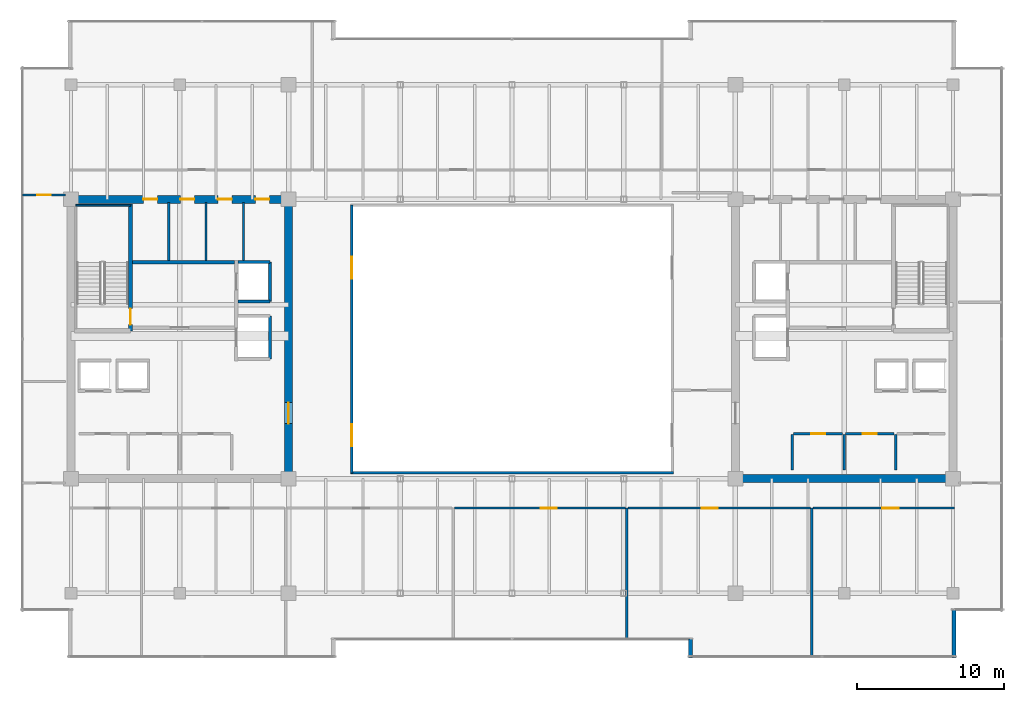
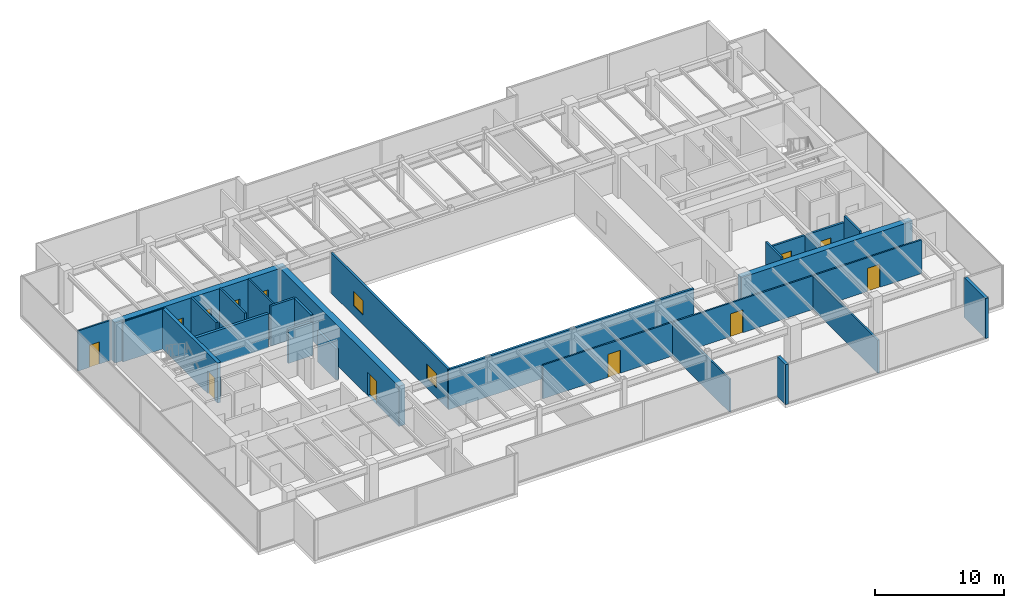
# One storey, part 29 of 33: 28 walls, 12 doors, 2 windows, 14 openings.
"""IFC4 building model written with IfcOpenShell, lengths in metres."""

from ifc_helpers import new_model, si_unit, direction, frame, frame_2d, origin, place, context, subcontext, project, spatial, rectangle, extrude, source, transform, mapped, material, layer, layer_set, type_object, type_shapes, element, fill, save


model = new_model("IFC4")

# Units and contexts
model_context = context("Model", 3, precision=1e-05, world=origin(), true_north=direction((0.0, 1.0)))
body_context = subcontext(model_context, "Body", "Model", "MODEL_VIEW")
ifc_project = project(units=[si_unit("LENGTHUNIT", "METRE"), si_unit("AREAUNIT", "SQUARE_METRE"), si_unit("VOLUMEUNIT", "CUBIC_METRE"), si_unit("PLANEANGLEUNIT", "RADIAN"), si_unit("MASSUNIT", "GRAM", prefix="KILO")], contexts=[model_context])

# Site, building, storey
site_placement = place(None, origin())
site = spatial("IfcSite", under=ifc_project, at=site_placement, CompositionType="ELEMENT")
building_placement = place(site_placement, origin())
building = spatial("IfcBuilding", under=site, at=building_placement, Name="Haelvirn Gate Laboratories", CompositionType="ELEMENT")
storey_placement = place(building_placement, frame((0.0, 0.0, 209.60009765625)))
storey = spatial("IfcBuildingStorey", under=building, at=storey_placement, Name="L50", CompositionType="ELEMENT", Elevation=209.60009765625)

# Walls
ifc_material_1 = material(Name="Thermally-broken bronze aluminium rainscreen & mineral wool", Category="aluminium")
ifc_layer_1 = layer(ifc_material_1, 0.280029296875, Name="EW-TERR-280")
ifc_layer_set_1 = layer_set([ifc_layer_1], Name="Thermally-broken bronze aluminium rainscreen & mineral wool")
wall_type_1 = type_object("IfcWallType", Name="EW-TERR-280", PredefinedType="STANDARD", material=ifc_layer_set_1)
wall_1_placement = place(storey_placement, frame((49.5400390625, 3.89306640625, 0.0), z_axis=(0.0, 0.0, 1.0), x_axis=(0.0, -1.0, 0.0)))
element("IfcWall", 1, at=wall_1_placement, inside=storey, type_object=wall_type_1, Name="L50 Atrium Recess Bronze Return Wall 03", PredefinedType="STANDARD", context=body_context, shape_type="SweptSolid", body=[
    extrude(rectangle(XDim=1.29296875, YDim=0.280029296875, at=frame_2d((0.646484375, 0.0))), origin(), (0.0, 0.0, 1.0), 3.7998046875),
])
wall_2_placement = place(storey_placement, frame((67.4599609375, 2.60009765625, 0.0), z_axis=(0.0, 0.0, 1.0), x_axis=(0.0, 1.0, 0.0)))
element("IfcWall", 2, at=wall_2_placement, inside=storey, type_object=wall_type_1, Name="L50 Atrium Recess Bronze Return Wall 05", PredefinedType="STANDARD", context=body_context, shape_type="SweptSolid", body=[
    extrude(rectangle(XDim=3.287841796875, YDim=0.280029296875, at=frame_2d((1.64404296875, 0.0))), origin(), (0.0, 0.0, 1.0), 3.7998046875),
])
ifc_material_2 = material(Name="Double-layer acoustic gypsum laboratory partition", Category="gypsum")
ifc_layer_2 = layer(ifc_material_2, 0.159912109375, Name="IW-ACOUST-160")
ifc_layer_set_2 = layer_set([ifc_layer_2], Name="Double-layer acoustic gypsum laboratory partition")
wall_type_2 = type_object("IfcWallType", Name="IW-ACOUST-160", PredefinedType="PARTITIONING", material=ifc_layer_set_2)
wall_3_placement = place(storey_placement, frame((45.199951171875, 3.909912109375, 0.0), z_axis=(0.0, 0.0, 1.0), x_axis=(0.0, 1.0, 0.0)))
element("IfcWall", 3, at=wall_3_placement, inside=storey, type_object=wall_type_2, Name="L50 Interior Wall IW-L50-SDIV-04", PredefinedType="PARTITIONING", context=body_context, shape_type="SweptSolid", body=[
    extrude(rectangle(XDim=8.880126953125, YDim=0.159912109375, at=frame_2d((4.43994140625, 0.0))), origin(), (0.0, 0.0, 1.0), 3.135009765625),
])
wall_4_placement = place(storey_placement, frame((57.800048828125, 2.7099609375, 0.0), z_axis=(0.0, 0.0, 1.0), x_axis=(0.0, 1.0, 0.0)))
element("IfcWall", 4, at=wall_4_placement, inside=storey, type_object=wall_type_2, Name="L50 Interior Wall IW-L50-SDIV-05", PredefinedType="PARTITIONING", context=body_context, shape_type="SweptSolid", body=[
    extrude(rectangle(XDim=10.080078125, YDim=0.159912109375, at=frame_2d((5.0400390625, 0.0))), origin(), (0.0, 0.0, 1.0), 3.135009765625),
])

# Wall, openings, windows
ifc_material_3 = material(Name="Tempered fire-rated borosilicate glass & anodised aluminium", Category="aluminium")
ifc_layer_3 = layer(ifc_material_3, 0.195068359375, Name="IW-GLAZ-200")
ifc_layer_set_3 = layer_set([ifc_layer_3], Name="Tempered fire-rated borosilicate glass & anodised aluminium")
wall_type_3 = type_object("IfcWallType", Name="IW-GLAZ-200", PredefinedType="SOLIDWALL", material=ifc_layer_set_3)
wall_5_placement = place(storey_placement, frame((26.5, 15.199951171875, 0.0), z_axis=(0.0, 0.0, 1.0), x_axis=(0.0, 1.0, 0.0)))
wall_5 = element("IfcWall", 5, at=wall_5_placement, inside=storey, type_object=wall_type_3, Name="L50 Interior Wall IW-L50-ATRIUM-W", PredefinedType="SOLIDWALL", context=body_context, shape_type="SweptSolid", body=[
    extrude(rectangle(XDim=18.199951171875, YDim=0.195068359375, at=frame_2d((9.10009765625, 0.0))), origin(), (0.0, 0.0, 1.0), 3.7998046875),
])
opening_1_placement = place(wall_5_placement, frame((1.800048828125, 0.0, 0.89990234375)))
opening_1 = element("IfcOpeningElement", 6, at=opening_1_placement, cuts=wall_5, Name="Opening W5", PredefinedType="OPENING", context=body_context, shape_type="SweptSolid", body=[
    extrude(rectangle(XDim=1.5, YDim=1.39990234375, at=frame_2d((0.75, 0.699951171875))), frame((0.0, 0.107421875, 0.0), z_axis=(0.0, -1.0, 0.0), x_axis=(1.0, 0.0, 0.0)), (0.0, 0.0, 1.0), 0.215087890625),
])
opening_2_placement = place(wall_5_placement, frame((13.199951171875, 0.0, 0.89990234375)))
opening_2 = element("IfcOpeningElement", 7, at=opening_2_placement, cuts=wall_5, Name="Opening W5", PredefinedType="OPENING", context=body_context, shape_type="SweptSolid", body=[
    extrude(rectangle(XDim=1.5, YDim=1.39990234375, at=frame_2d((0.75, 0.699951171875))), frame((0.0, 0.107421875, 0.0), z_axis=(0.0, -1.0, 0.0), x_axis=(1.0, 0.0, 0.0)), (0.0, 0.0, 1.0), 0.215087890625),
])
ifc_material_4 = material(Name="Fire-rated EI 120 borosilicate atrium vision glazing", Category="glass")
window_type = type_object("IfcWindowType", Name="WN-ATR-1500", PartitioningType="SINGLE_PANEL", PredefinedType="WINDOW", material=ifc_material_4)
shared_shape_1 = source(origin(), body_context, "Body", "SweptSolid", [
    extrude(rectangle(XDim=1.5, YDim=1.39990234375, at=frame_2d((0.75, 0.699951171875))), frame((0.0, 0.030029296875, 0.0), z_axis=(0.0, -1.0, 0.0), x_axis=(1.0, 0.0, 0.0)), (0.0, 0.0, 1.0), 0.06005859375),
])
type_shapes(window_type, [shared_shape_1])
window_1_placement = place(opening_1_placement, origin())
window_1 = element("IfcWindow", 8, at=window_1_placement, inside=storey, type_object=window_type, Name="L50 Atrium Observation Window 1", OverallHeight=1.39990234375, OverallWidth=1.5, PartitioningType="SINGLE_PANEL", PredefinedType="WINDOW", context=body_context, shape_type="MappedRepresentation", body=[
    mapped(shared_shape_1, transform((0.0, 0.0, 0.0), scale=1.0)),
])
fill(opening_1, window_1)
window_2_placement = place(opening_2_placement, origin())
window_2 = element("IfcWindow", 9, at=window_2_placement, inside=storey, type_object=window_type, Name="L50 Atrium Observation Window 2", OverallHeight=1.39990234375, OverallWidth=1.5, PartitioningType="SINGLE_PANEL", PredefinedType="WINDOW", context=body_context, shape_type="MappedRepresentation", body=[
    mapped(shared_shape_1, transform((0.0, 0.0, 0.0), scale=1.0)),
])
fill(opening_2, window_2)

# Wall
wall_6_placement = place(storey_placement, frame((26.39990234375, 15.199951171875, 0.0), z_axis=(0.0, 0.0, 1.0), x_axis=(1.0, 0.0, 0.0)))
element("IfcWall", 10, at=wall_6_placement, inside=storey, type_object=wall_type_3, Name="L50 Interior Wall IW-L50-ATRIUM-S", PredefinedType="SOLIDWALL", context=body_context, shape_type="SweptSolid", body=[
    extrude(rectangle(XDim=22.0, YDim=0.195068359375, at=frame_2d((11.0, 0.0))), origin(), (0.0, 0.0, 1.0), 3.7998046875),
])

# Wall, opening, door
ifc_material_5 = material(Name="Acoustic mineral-wool gypsum board partition", Category="gypsum")
ifc_layer_4 = layer(ifc_material_5, 0.139892578125, Name="IW-PART-140")
ifc_layer_set_4 = layer_set([ifc_layer_4], Name="Acoustic mineral-wool gypsum board partition")
wall_type_4 = type_object("IfcWallType", Name="IW-PART-140", PredefinedType="PARTITIONING", material=ifc_layer_set_4)
wall_7_placement = place(storey_placement, frame((33.47998046875, 12.7900390625, 0.0), z_axis=(0.0, 0.0, 1.0), x_axis=(1.0, 0.0, 0.0)))
wall_7 = element("IfcWall", 11, at=wall_7_placement, inside=storey, type_object=wall_type_4, Name="L50 Interior Wall IW-L50-SCORR-04", PredefinedType="PARTITIONING", context=body_context, shape_type="SweptSolid", body=[
    extrude(rectangle(XDim=11.64013671875, YDim=0.139892578125, at=frame_2d((5.820068359375, 0.0))), origin(), (0.0, 0.0, 1.0), 3.197021484375),
])
opening_3_placement = place(wall_7_placement, frame((5.8603515625, 0.0, 0.0)))
opening_3 = element("IfcOpeningElement", 12, at=opening_3_placement, cuts=wall_7, Name="Opening D1", PredefinedType="OPENING", context=body_context, shape_type="SweptSolid", body=[
    extrude(rectangle(XDim=1.10009765625, YDim=2.179931640625, at=frame_2d((0.550048828125, 1.08984375))), frame((0.0, 0.080078125, 0.0), z_axis=(0.0, -1.0, 0.0), x_axis=(1.0, 0.0, 0.0)), (0.0, 0.0, 1.0), 0.159912109375),
])
ifc_material_6 = material(Name="Vision-panel acoustic solid-core timber lab door", Category="wood")
door_type_1 = type_object("IfcDoorType", Name="DR-LAB-1100", OperationType="NOTDEFINED", PredefinedType="DOOR", material=ifc_material_6)
shared_shape_2 = source(origin(), body_context, "Body", "SweptSolid", [
    extrude(rectangle(XDim=1.10009765625, YDim=2.179931640625, at=frame_2d((0.550048828125, 1.08984375))), frame((0.0, 0.02490234375, 0.0), z_axis=(0.0, -1.0, 0.0), x_axis=(1.0, 0.0, 0.0)), (0.0, 0.0, 1.0), 0.050048828125),
])
type_shapes(door_type_1, [shared_shape_2])
door_1_placement = place(opening_3_placement, origin())
door_1 = element("IfcDoor", 13, at=door_1_placement, inside=storey, type_object=door_type_1, Name="L50 Analytical Instrument Suite Door S4", OperationType="SINGLE_SWING_RIGHT", OverallHeight=2.179931640625, OverallWidth=1.10009765625, PredefinedType="DOOR", context=body_context, shape_type="MappedRepresentation", body=[
    mapped(shared_shape_2, transform((0.0, 0.0, 0.0), scale=1.0)),
])
fill(opening_3, door_1)

wall_8_placement = place(storey_placement, frame((45.280029296875, 12.7900390625, 0.0), z_axis=(0.0, 0.0, 1.0), x_axis=(1.0, 0.0, 0.0)))
wall_8 = element("IfcWall", 14, at=wall_8_placement, inside=storey, type_object=wall_type_4, Name="L50 Interior Wall IW-L50-SCORR-05", PredefinedType="PARTITIONING", context=body_context, shape_type="SweptSolid", body=[
    extrude(rectangle(XDim=12.43994140625, YDim=0.139892578125, at=frame_2d((6.219970703125, 0.0))), origin(), (0.0, 0.0, 1.0), 3.197021484375),
])
opening_4_placement = place(wall_8_placement, frame((5.031494140625, 0.0, 0.0)))
opening_4 = element("IfcOpeningElement", 15, at=opening_4_placement, cuts=wall_8, Name="Opening D1", PredefinedType="OPENING", context=body_context, shape_type="SweptSolid", body=[
    extrude(rectangle(XDim=1.10009765625, YDim=2.179931640625, at=frame_2d((0.550048828125, 1.08984375))), frame((0.0, 0.080078125, 0.0), z_axis=(0.0, -1.0, 0.0), x_axis=(1.0, 0.0, 0.0)), (0.0, 0.0, 1.0), 0.159912109375),
])
door_2_placement = place(opening_4_placement, origin())
door_2 = element("IfcDoor", 16, at=door_2_placement, inside=storey, type_object=door_type_1, Name="L50 Cleanroom Metrology Suite Door S5", OperationType="SINGLE_SWING_LEFT", OverallHeight=2.179931640625, OverallWidth=1.10009765625, PredefinedType="DOOR", context=body_context, shape_type="MappedRepresentation", body=[
    mapped(shared_shape_2, transform((0.0, 0.0, 0.0), scale=1.0)),
])
fill(opening_4, door_2)

wall_9_placement = place(storey_placement, frame((57.8798828125, 12.7900390625, 0.0), z_axis=(0.0, 0.0, 1.0), x_axis=(1.0, 0.0, 0.0)))
wall_9 = element("IfcWall", 17, at=wall_9_placement, inside=storey, type_object=wall_type_4, Name="L50 Interior Wall IW-L50-SCORR-06", PredefinedType="PARTITIONING", context=body_context, shape_type="SweptSolid", body=[
    extrude(rectangle(XDim=9.610107421875, YDim=0.139892578125, at=frame_2d((4.80517578125, 0.0))), origin(), (0.0, 0.0, 1.0), 3.197021484375),
])
opening_5_placement = place(wall_9_placement, frame((4.7236328125, 0.0, 0.0)))
opening_5 = element("IfcOpeningElement", 18, at=opening_5_placement, cuts=wall_9, Name="Opening D1", PredefinedType="OPENING", context=body_context, shape_type="SweptSolid", body=[
    extrude(rectangle(XDim=1.10009765625, YDim=2.179931640625, at=frame_2d((0.550048828125, 1.08984375))), frame((0.0, 0.080078125, 0.0), z_axis=(0.0, -1.0, 0.0), x_axis=(1.0, 0.0, 0.0)), (0.0, 0.0, 1.0), 0.159912109375),
])
door_3_placement = place(opening_5_placement, origin())
door_3 = element("IfcDoor", 19, at=door_3_placement, inside=storey, type_object=door_type_1, Name="L50 Cryo-EM Imaging Suite Door S6", OperationType="SINGLE_SWING_RIGHT", OverallHeight=2.179931640625, OverallWidth=1.10009765625, PredefinedType="DOOR", context=body_context, shape_type="MappedRepresentation", body=[
    mapped(shared_shape_2, transform((0.0, 0.0, 0.0), scale=1.0)),
])
fill(opening_5, door_3)

wall_10_placement = place(storey_placement, frame((4.110107421875, 34.094970703125, 0.0), z_axis=(0.0, 0.0, 1.0), x_axis=(1.0, 0.0, 0.0)))
wall_10 = element("IfcWall", 20, at=wall_10_placement, inside=storey, type_object=wall_type_4, Name="L50 Interior Wall IW-L50-WZ3-ENT-N", PredefinedType="PARTITIONING", context=body_context, shape_type="SweptSolid", body=[
    extrude(rectangle(XDim=2.909912109375, YDim=0.139892578125, at=frame_2d((1.455078125, 0.0))), origin(), (0.0, 0.0, 1.0), 3.7998046875),
])
opening_6_placement = place(wall_10_placement, frame((1.0048828125, 0.0, 0.0)))
opening_6 = element("IfcOpeningElement", 21, at=opening_6_placement, cuts=wall_10, Name="Opening D4", PredefinedType="OPENING", context=body_context, shape_type="SweptSolid", body=[
    extrude(rectangle(XDim=0.89990234375, YDim=2.10009765625, at=frame_2d((0.449951171875, 1.050048828125))), frame((0.0, 0.080078125, 0.0), z_axis=(0.0, -1.0, 0.0), x_axis=(1.0, 0.0, 0.0)), (0.0, 0.0, 1.0), 0.159912109375),
])
ifc_material_7 = material(Name="Glazed aluminium-framed write-up door", Category="aluminium")
door_type_2 = type_object("IfcDoorType", Name="DR-OFF-900", OperationType="NOTDEFINED", PredefinedType="DOOR", material=ifc_material_7)
shared_shape_3 = source(origin(), body_context, "Body", "SweptSolid", [
    extrude(rectangle(XDim=0.89990234375, YDim=2.10009765625, at=frame_2d((0.449951171875, 1.050048828125))), frame((0.0, 0.02490234375, 0.0), z_axis=(0.0, -1.0, 0.0), x_axis=(1.0, 0.0, 0.0)), (0.0, 0.0, 1.0), 0.050048828125),
])
type_shapes(door_type_2, [shared_shape_3])
door_4_placement = place(opening_6_placement, origin())
door_4 = element("IfcDoor", 22, at=door_4_placement, inside=storey, type_object=door_type_2, Name="L50 Bioinformatics Dry-Lab Workspace Door W-N", OperationType="SINGLE_SWING_RIGHT", OverallHeight=2.10009765625, OverallWidth=0.89990234375, PredefinedType="DOOR", context=body_context, shape_type="MappedRepresentation", body=[
    mapped(shared_shape_3, transform((0.0, 0.0, 0.0), scale=1.0)),
])
fill(opening_6, door_4)

# Walls
ifc_material_8 = material(Name="Cement-board restroom plumbing chase wall", Category="gypsum")
ifc_layer_5 = layer(ifc_material_8, 0.155029296875, Name="IW-PLUMB-160")
ifc_layer_set_5 = layer_set([ifc_layer_5], Name="Cement-board restroom plumbing chase wall")
wall_type_5 = type_object("IfcWallType", Name="IW-PLUMB-160", PredefinedType="PLUMBINGWALL", material=ifc_layer_set_5)
for number, where, z_axis, x_axis, name in (
    (23, (14.0400390625, 29.64990234375, 0.0), (0.0, 0.0, 1.0), (0.0, 1.0, 0.0), "L50 Interior Wall IW-L50-W-CDIV-1"),
    (24, (16.590087890625, 29.64990234375, 0.0), (0.0, 0.0, 1.0), (0.0, 1.0, 0.0), "L50 Interior Wall IW-L50-W-CDIV-2"),
    (25, (19.139892578125, 29.64990234375, 0.0), (0.0, 0.0, 1.0), (0.0, 1.0, 0.0), "L50 Interior Wall IW-L50-W-CDIV-3"),
):
    element("IfcWall", number, at=place(storey_placement, frame(where, z_axis=z_axis, x_axis=x_axis)), inside=storey, type_object=wall_type_5, Name=name, PredefinedType="PLUMBINGWALL", context=body_context, shape_type="SweptSolid", body=[
        extrude(rectangle(XDim=3.93017578125, YDim=0.155029296875, at=frame_2d((1.965087890625, 0.0))), origin(), (0.0, 0.0, 1.0), 3.7998046875),
    ])
ifc_material_9 = material(Name="Concrete C40/50", Category="concrete")
ifc_layer_6 = layer(ifc_material_9, 0.179931640625, Name="IW-SHAFT-180")
ifc_layer_set_6 = layer_set([ifc_layer_6], Name="Concrete C40/50")
wall_type_6 = type_object("IfcWallType", Name="IW-SHAFT-180", PredefinedType="SOLIDWALL", material=ifc_layer_set_6)
wall_11_placement = place(storey_placement, frame((63.510009765625, 15.39990234375, 0.0), z_axis=(0.0, 0.0, 1.0), x_axis=(0.0, 1.0, 0.0)))
element("IfcWall", 26, at=wall_11_placement, inside=storey, type_object=wall_type_6, Name="L50 Interior Wall IW-L50-E-FREED-HE-1", PredefinedType="SOLIDWALL", context=body_context, shape_type="SweptSolid", body=[
    extrude(rectangle(XDim=2.400146484375, YDim=0.179931640625, at=frame_2d((1.2001953125, 0.0))), origin(), (0.0, 0.0, 1.0), 3.7998046875),
])

# Wall, opening, door
wall_12_placement = place(storey_placement, frame((60.10009765625, 17.85009765625, 0.0), z_axis=(0.0, 0.0, 1.0), x_axis=(1.0, 0.0, 0.0)))
wall_12 = element("IfcWall", 27, at=wall_12_placement, inside=storey, type_object=wall_type_6, Name="L50 Interior Wall IW-L50-E-FREED-HN-2", PredefinedType="SOLIDWALL", context=body_context, shape_type="SweptSolid", body=[
    extrude(rectangle(XDim=3.2998046875, YDim=0.179931640625, at=frame_2d((1.64990234375, 0.0))), origin(), (0.0, 0.0, 1.0), 3.197021484375),
])
opening_7_placement = place(wall_12_placement, frame((1.175048828125, 0.0, 0.0)))
opening_7 = element("IfcOpeningElement", 28, at=opening_7_placement, cuts=wall_12, Name="Opening FD4", PredefinedType="OPENING", context=body_context, shape_type="SweptSolid", body=[
    extrude(rectangle(XDim=0.949951171875, YDim=2.14990234375, at=frame_2d((0.47509765625, 1.074951171875))), frame((0.0, 0.10009765625, 0.0), z_axis=(0.0, -1.0, 0.0), x_axis=(1.0, 0.0, 0.0)), (0.0, 0.0, 1.0), 0.199951171875),
])
ifc_material_10 = material(Name="Fire-rated steel SM355 core service door", Category="steel")
door_type_3 = type_object("IfcDoorType", Name="DR-FD-950", OperationType="NOTDEFINED", PredefinedType="DOOR", material=ifc_material_10)
shared_shape_4 = source(origin(), body_context, "Body", "SweptSolid", [
    extrude(rectangle(XDim=0.949951171875, YDim=2.14990234375, at=frame_2d((0.47509765625, 1.074951171875))), frame((0.0, 0.02490234375, 0.0), z_axis=(0.0, -1.0, 0.0), x_axis=(1.0, 0.0, 0.0)), (0.0, 0.0, 1.0), 0.050048828125),
])
type_shapes(door_type_3, [shared_shape_4])
door_5_placement = place(opening_7_placement, origin())
door_5 = element("IfcDoor", 29, at=door_5_placement, inside=storey, type_object=door_type_3, Name="L50 Telemetry Analytics Room Door", OperationType="SINGLE_SWING_RIGHT", OverallHeight=2.14990234375, OverallWidth=0.949951171875, PredefinedType="DOOR", context=body_context, shape_type="MappedRepresentation", body=[
    mapped(shared_shape_4, transform((0.0, 0.0, 0.0), scale=1.0)),
])
fill(opening_7, door_5)

# Wall
wall_13_placement = place(storey_placement, frame((60.010009765625, 15.39990234375, 0.0), z_axis=(0.0, 0.0, 1.0), x_axis=(0.0, 1.0, 0.0)))
element("IfcWall", 30, at=wall_13_placement, inside=storey, type_object=wall_type_6, Name="L50 Interior Wall IW-L50-E-FREED-HE-2", PredefinedType="SOLIDWALL", context=body_context, shape_type="SweptSolid", body=[
    extrude(rectangle(XDim=2.400146484375, YDim=0.179931640625, at=frame_2d((1.2001953125, 0.0))), origin(), (0.0, 0.0, 1.0), 3.197021484375),
])

# Wall, opening, door
wall_14_placement = place(storey_placement, frame((56.550048828125, 17.85009765625, 0.0), z_axis=(0.0, 0.0, 1.0), x_axis=(1.0, 0.0, 0.0)))
wall_14 = element("IfcWall", 31, at=wall_14_placement, inside=storey, type_object=wall_type_6, Name="L50 Interior Wall IW-L50-E-FREED-HN-3", PredefinedType="SOLIDWALL", context=body_context, shape_type="SweptSolid", body=[
    extrude(rectangle(XDim=3.349853515625, YDim=0.179931640625, at=frame_2d((1.6748046875, 0.0))), origin(), (0.0, 0.0, 1.0), 3.197021484375),
])
opening_8_placement = place(wall_14_placement, frame((1.199951171875, 0.0, 0.0)))
opening_8 = element("IfcOpeningElement", 32, at=opening_8_placement, cuts=wall_14, Name="Opening FD4", PredefinedType="OPENING", context=body_context, shape_type="SweptSolid", body=[
    extrude(rectangle(XDim=0.949951171875, YDim=2.14990234375, at=frame_2d((0.47509765625, 1.074951171875))), frame((0.0, 0.10009765625, 0.0), z_axis=(0.0, -1.0, 0.0), x_axis=(1.0, 0.0, 0.0)), (0.0, 0.0, 1.0), 0.199951171875),
])
door_6_placement = place(opening_8_placement, origin())
door_6 = element("IfcDoor", 33, at=door_6_placement, inside=storey, type_object=door_type_3, Name="L50 Calibration Metrology Room Door", OperationType="SINGLE_SWING_LEFT", OverallHeight=2.14990234375, OverallWidth=0.949951171875, PredefinedType="DOOR", context=body_context, shape_type="MappedRepresentation", body=[
    mapped(shared_shape_4, transform((0.0, 0.0, 0.0), scale=1.0)),
])
fill(opening_8, door_6)

# Walls
wall_15_placement = place(storey_placement, frame((56.4599609375, 15.39990234375, 0.0), z_axis=(0.0, 0.0, 1.0), x_axis=(0.0, 1.0, 0.0)))
element("IfcWall", 34, at=wall_15_placement, inside=storey, type_object=wall_type_6, Name="L50 Interior Wall IW-L50-E-FREED-HE-3", PredefinedType="SOLIDWALL", context=body_context, shape_type="SweptSolid", body=[
    extrude(rectangle(XDim=2.400146484375, YDim=0.179931640625, at=frame_2d((1.2001953125, 0.0))), origin(), (0.0, 0.0, 1.0), 3.7998046875),
])
ifc_layer_7 = layer(ifc_material_9, 0.199951171875, Name="IW-SHAFT-200")
ifc_layer_set_7 = layer_set([ifc_layer_7], Name="Concrete C40/50")
wall_type_7 = type_object("IfcWallType", Name="IW-SHAFT-200", PredefinedType="SOLIDWALL", material=ifc_layer_set_7)
wall_16_placement = place(storey_placement, frame((20.949951171875, 26.85009765625, 0.0), z_axis=(0.0, 0.0, 1.0), x_axis=(0.0, 1.0, 0.0)))
element("IfcWall", 35, at=wall_16_placement, inside=storey, type_object=wall_type_7, Name="L50 Interior Wall IW-L50-FL1-BK", PredefinedType="SOLIDWALL", context=body_context, shape_type="SweptSolid", body=[
    extrude(rectangle(XDim=2.699951171875, YDim=0.199951171875, at=frame_2d((1.35009765625, 0.0))), origin(), (0.0, 0.0, 1.0), 3.7998046875),
])
wall_17_placement = place(storey_placement, frame((18.760009765625, 29.550048828125, 0.0), z_axis=(0.0, 0.0, 1.0), x_axis=(1.0, 0.0, 0.0)))
element("IfcWall", 36, at=wall_17_placement, inside=storey, type_object=wall_type_7, Name="L50 Interior Wall IW-L50-FL1-N", PredefinedType="SOLIDWALL", context=body_context, shape_type="SweptSolid", body=[
    extrude(rectangle(XDim=2.18994140625, YDim=0.199951171875, at=frame_2d((1.094970703125, 0.0))), origin(), (0.0, 0.0, 1.0), 3.7998046875),
])
wall_18_placement = place(storey_placement, frame((18.760009765625, 26.85009765625, 0.0), z_axis=(0.0, 0.0, 1.0), x_axis=(1.0, 0.0, 0.0)))
element("IfcWall", 37, at=wall_18_placement, inside=storey, type_object=wall_type_7, Name="L50 Interior Wall IW-L50-FL1-S", PredefinedType="SOLIDWALL", context=body_context, shape_type="SweptSolid", body=[
    extrude(rectangle(XDim=2.18994140625, YDim=0.199951171875, at=frame_2d((1.094970703125, 0.0))), origin(), (0.0, 0.0, 1.0), 3.197021484375),
])
wall_19_placement = place(storey_placement, frame((20.949951171875, 22.949951171875, 0.0), z_axis=(0.0, 0.0, 1.0), x_axis=(0.0, 1.0, 0.0)))
element("IfcWall", 38, at=wall_19_placement, inside=storey, type_object=wall_type_7, Name="L50 Interior Wall IW-L50-SL1-BK", PredefinedType="SOLIDWALL", context=body_context, shape_type="SweptSolid", body=[
    extrude(rectangle(XDim=2.900146484375, YDim=0.199951171875, at=frame_2d((1.4501953125, 0.0))), origin(), (0.0, 0.0, 1.0), 2.934814453125),
])
ifc_layer_8 = layer(ifc_material_9, 0.239990234375, Name="IW-SHAFT-240")
ifc_layer_set_8 = layer_set([ifc_layer_8], Name="Concrete C40/50")
wall_type_8 = type_object("IfcWallType", Name="IW-SHAFT-240", PredefinedType="SOLIDWALL", material=ifc_layer_set_8)
wall_20_placement = place(storey_placement, frame((11.60009765625, 29.52001953125, 0.0), z_axis=(0.0, 0.0, 1.0), x_axis=(1.0, 0.0, 0.0)))
element("IfcWall", 39, at=wall_20_placement, inside=storey, type_object=wall_type_8, Name="L50 Interior Wall IW-L50-W-FF-N", PredefinedType="SOLIDWALL", context=body_context, shape_type="SweptSolid", body=[
    extrude(rectangle(XDim=6.919921875, YDim=0.239990234375, at=frame_2d((3.4599609375, 0.0))), origin(), (0.0, 0.0, 1.0), 3.197021484375),
])

# Wall, openings, doors
ifc_material_11 = material(Name="Concrete C50/60", Category="concrete")
ifc_layer_9 = layer(ifc_material_11, 0.550048828125, Name="SW-CORE-550")
ifc_layer_set_9 = layer_set([ifc_layer_9], Name="Concrete C50/60")
wall_type_9 = type_object("IfcWallType", Name="SW-CORE-550", PredefinedType="SHEAR", material=ifc_layer_set_9)
wall_21_placement = place(storey_placement, frame((7.125, 33.800048828125, 0.0), z_axis=(0.0, 0.0, 1.0), x_axis=(1.0, 0.0, 0.0)))
wall_21 = element("IfcWall", 40, at=wall_21_placement, inside=storey, type_object=wall_type_9, Name="L50 W Core Shear Wall N", PredefinedType="SHEAR", context=body_context, shape_type="SweptSolid", body=[
    extrude(rectangle(XDim=15.35009765625, YDim=0.550048828125, at=frame_2d((7.675048828125, 0.0))), origin(), (0.0, 0.0, 1.0), 3.7998046875),
])
opening_9_placement = place(wall_21_placement, frame((5.199951171875, 0.0, 0.0)))
opening_9 = element("IfcOpeningElement", 41, at=opening_9_placement, cuts=wall_21, Name="Opening FD4", PredefinedType="OPENING", context=body_context, shape_type="SweptSolid", body=[
    extrude(rectangle(XDim=0.949951171875, YDim=2.14990234375, at=frame_2d((0.47509765625, 1.074951171875))), frame((0.0, 0.28515625, 0.0), z_axis=(0.0, -1.0, 0.0), x_axis=(1.0, 0.0, 0.0)), (0.0, 0.0, 1.0), 0.570068359375),
])
opening_10_placement = place(wall_21_placement, frame((7.715087890625, 0.0, 0.0)))
opening_10 = element("IfcOpeningElement", 42, at=opening_10_placement, cuts=wall_21, Name="Opening FD4", PredefinedType="OPENING", context=body_context, shape_type="SweptSolid", body=[
    extrude(rectangle(XDim=0.949951171875, YDim=2.14990234375, at=frame_2d((0.47509765625, 1.074951171875))), frame((0.0, 0.28515625, 0.0), z_axis=(0.0, -1.0, 0.0), x_axis=(1.0, 0.0, 0.0)), (0.0, 0.0, 1.0), 0.570068359375),
])
opening_11_placement = place(wall_21_placement, frame((10.264892578125, 0.0, 0.0)))
opening_11 = element("IfcOpeningElement", 43, at=opening_11_placement, cuts=wall_21, Name="Opening FD4", PredefinedType="OPENING", context=body_context, shape_type="SweptSolid", body=[
    extrude(rectangle(XDim=0.949951171875, YDim=2.14990234375, at=frame_2d((0.47509765625, 1.074951171875))), frame((0.0, 0.28515625, 0.0), z_axis=(0.0, -1.0, 0.0), x_axis=(1.0, 0.0, 0.0)), (0.0, 0.0, 1.0), 0.570068359375),
])
opening_12_placement = place(wall_21_placement, frame((12.81494140625, 0.0, 0.0)))
opening_12 = element("IfcOpeningElement", 44, at=opening_12_placement, cuts=wall_21, Name="Opening FD4", PredefinedType="OPENING", context=body_context, shape_type="SweptSolid", body=[
    extrude(rectangle(XDim=0.949951171875, YDim=2.14990234375, at=frame_2d((0.47509765625, 1.074951171875))), frame((0.0, 0.28515625, 0.0), z_axis=(0.0, -1.0, 0.0), x_axis=(1.0, 0.0, 0.0)), (0.0, 0.0, 1.0), 0.570068359375),
])
door_7_placement = place(opening_9_placement, origin())
door_7 = element("IfcDoor", 45, at=door_7_placement, inside=storey, type_object=door_type_3, Name="L50 Male Restroom Fire Door", OperationType="SINGLE_SWING_LEFT", OverallHeight=2.14990234375, OverallWidth=0.949951171875, PredefinedType="DOOR", context=body_context, shape_type="MappedRepresentation", body=[
    mapped(shared_shape_4, transform((0.0, 0.0, 0.0), scale=1.0)),
])
fill(opening_9, door_7)
door_8_placement = place(opening_10_placement, origin())
door_8 = element("IfcDoor", 46, at=door_8_placement, inside=storey, type_object=door_type_3, Name="L50 Female Restroom Fire Door", OperationType="SINGLE_SWING_RIGHT", OverallHeight=2.14990234375, OverallWidth=0.949951171875, PredefinedType="DOOR", context=body_context, shape_type="MappedRepresentation", body=[
    mapped(shared_shape_4, transform((0.0, 0.0, 0.0), scale=1.0)),
])
fill(opening_10, door_8)
door_9_placement = place(opening_11_placement, origin())
door_9 = element("IfcDoor", 47, at=door_9_placement, inside=storey, type_object=door_type_3, Name="L50 Accessible Restroom Fire Door", OperationType="SINGLE_SWING_LEFT", OverallHeight=2.14990234375, OverallWidth=0.949951171875, PredefinedType="DOOR", context=body_context, shape_type="MappedRepresentation", body=[
    mapped(shared_shape_4, transform((0.0, 0.0, 0.0), scale=1.0)),
])
fill(opening_11, door_9)
door_10_placement = place(opening_12_placement, origin())
door_10 = element("IfcDoor", 48, at=door_10_placement, inside=storey, type_object=door_type_3, Name="L50 Decontamination Shower Washroom Fire Door", OperationType="SINGLE_SWING_RIGHT", OverallHeight=2.14990234375, OverallWidth=0.949951171875, PredefinedType="DOOR", context=body_context, shape_type="MappedRepresentation", body=[
    mapped(shared_shape_4, transform((0.0, 0.0, 0.0), scale=1.0)),
])
fill(opening_12, door_10)

# Wall, opening, door
wall_22_placement = place(storey_placement, frame((22.199951171875, 15.074951171875, 0.0), z_axis=(0.0, 0.0, 1.0), x_axis=(0.0, 1.0, 0.0)))
wall_22 = element("IfcWall", 49, at=wall_22_placement, inside=storey, type_object=wall_type_9, Name="L50 W Core Shear Wall E", PredefinedType="SHEAR", context=body_context, shape_type="SweptSolid", body=[
    extrude(rectangle(XDim=18.449951171875, YDim=0.550048828125, at=frame_2d((9.22509765625, 0.0))), origin(), (0.0, 0.0, 1.0), 3.7998046875),
])
opening_13_placement = place(wall_22_placement, frame((3.47509765625, 0.0, 0.0)))
opening_13 = element("IfcOpeningElement", 50, at=opening_13_placement, cuts=wall_22, Name="Opening FD1", PredefinedType="OPENING", context=body_context, shape_type="SweptSolid", body=[
    extrude(rectangle(XDim=1.419921875, YDim=2.199951171875, at=frame_2d((0.7099609375, 1.10009765625))), frame((0.0, 0.28515625, 0.0), z_axis=(0.0, -1.0, 0.0), x_axis=(1.0, 0.0, 0.0)), (0.0, 0.0, 1.0), 0.570068359375),
])
ifc_material_12 = material(Name="Fire-rated double steel SM355 lobby door", Category="steel")
door_type_4 = type_object("IfcDoorType", Name="DR-FD-1400", OperationType="NOTDEFINED", PredefinedType="DOOR", material=ifc_material_12)
shared_shape_5 = source(origin(), body_context, "Body", "SweptSolid", [
    extrude(rectangle(XDim=1.419921875, YDim=2.199951171875, at=frame_2d((0.7099609375, 1.10009765625))), frame((0.0, 0.02490234375, 0.0), z_axis=(0.0, -1.0, 0.0), x_axis=(1.0, 0.0, 0.0)), (0.0, 0.0, 1.0), 0.050048828125),
])
type_shapes(door_type_4, [shared_shape_5])
door_11_placement = place(opening_13_placement, origin())
door_11 = element("IfcDoor", 51, at=door_11_placement, inside=storey, type_object=door_type_4, Name="L50 West Core Lift Lobby Fire Door", OperationType="DOUBLE_DOOR_SINGLE_SWING", OverallHeight=2.199951171875, OverallWidth=1.419921875, PredefinedType="DOOR", context=body_context, shape_type="MappedRepresentation", body=[
    mapped(shared_shape_5, transform((0.0, 0.0, 0.0), scale=1.0)),
])
fill(opening_13, door_11)

# Walls
wall_23_placement = place(storey_placement, frame((52.324951171875, 14.800048828125, 0.0), z_axis=(0.0, 0.0, 1.0), x_axis=(1.0, 0.0, 0.0)))
element("IfcWall", 52, at=wall_23_placement, inside=storey, type_object=wall_type_9, Name="L50 E Core Shear Wall S", PredefinedType="SHEAR", context=body_context, shape_type="SweptSolid", body=[
    extrude(rectangle(XDim=15.35009765625, YDim=0.550048828125, at=frame_2d((7.675048828125, 0.0))), origin(), (0.0, 0.0, 1.0), 3.7998046875),
])
ifc_layer_10 = layer(ifc_material_11, 0.1201171875, Name="SW-LINER-120")
ifc_layer_set_10 = layer_set([ifc_layer_10], Name="Concrete C50/60")
wall_type_10 = type_object("IfcWallType", Name="SW-LINER-120", PredefinedType="SOLIDWALL", material=ifc_layer_set_10)
wall_24_placement = place(storey_placement, frame((7.72998046875, 33.39990234375, 0.0), z_axis=(0.0, 0.0, 1.0), x_axis=(1.0, 0.0, 0.0)))
element("IfcWall", 53, at=wall_24_placement, inside=storey, type_object=wall_type_10, Name="L50 W Core Stair Shaft Liner Wall N", PredefinedType="SOLIDWALL", context=body_context, shape_type="SweptSolid", body=[
    extrude(rectangle(XDim=3.719970703125, YDim=0.1201171875, at=frame_2d((1.85986328125, 0.0))), origin(), (0.0, 0.0, 1.0), 3.7998046875),
])

# Wall, opening, door
ifc_layer_11 = layer(ifc_material_11, 0.300048828125, Name="SW-STAIR-300")
ifc_layer_set_11 = layer_set([ifc_layer_11], Name="Concrete C50/60")
wall_type_11 = type_object("IfcWallType", Name="SW-STAIR-300", PredefinedType="SHEAR", material=ifc_layer_set_11)
wall_25_placement = place(storey_placement, frame((11.449951171875, 24.85009765625, 0.0), z_axis=(0.0, 0.0, 1.0), x_axis=(0.0, 1.0, 0.0)))
wall_25 = element("IfcWall", 54, at=wall_25_placement, inside=storey, type_object=wall_type_11, Name="L50 W Core Stair Shaft Structural Wall IN", PredefinedType="SHEAR", context=body_context, shape_type="SweptSolid", body=[
    extrude(rectangle(XDim=8.6298828125, YDim=0.300048828125, at=frame_2d((4.31494140625, 0.0))), origin(), (0.0, 0.0, 1.0), 3.7998046875),
])
opening_14_placement = place(wall_25_placement, frame((0.419921875, 0.0, 0.0)))
opening_14 = element("IfcOpeningElement", 55, at=opening_14_placement, cuts=wall_25, Name="Opening FD3", PredefinedType="OPENING", context=body_context, shape_type="SweptSolid", body=[
    extrude(rectangle(XDim=1.10009765625, YDim=2.14990234375, at=frame_2d((0.550048828125, 1.074951171875))), frame((0.0, 0.16015625, 0.0), z_axis=(0.0, -1.0, 0.0), x_axis=(1.0, 0.0, 0.0)), (0.0, 0.0, 1.0), 0.320068359375),
])
ifc_material_13 = material(Name="Fire-rated steel SM355 escape stair door", Category="steel")
door_type_5 = type_object("IfcDoorType", Name="DR-FD-1100", OperationType="NOTDEFINED", PredefinedType="DOOR", material=ifc_material_13)
shared_shape_6 = source(origin(), body_context, "Body", "SweptSolid", [
    extrude(rectangle(XDim=1.10009765625, YDim=2.14990234375, at=frame_2d((0.550048828125, 1.074951171875))), frame((0.0, 0.02490234375, 0.0), z_axis=(0.0, -1.0, 0.0), x_axis=(1.0, 0.0, 0.0)), (0.0, 0.0, 1.0), 0.050048828125),
])
type_shapes(door_type_5, [shared_shape_6])
door_12_placement = place(opening_14_placement, origin())
door_12 = element("IfcDoor", 56, at=door_12_placement, inside=storey, type_object=door_type_5, Name="L50 Escape Stair ST1 Fire Door", OperationType="SINGLE_SWING_LEFT", OverallHeight=2.14990234375, OverallWidth=1.10009765625, PredefinedType="DOOR", context=body_context, shape_type="MappedRepresentation", body=[
    mapped(shared_shape_6, transform((0.0, 0.0, 0.0), scale=1.0)),
])
fill(opening_14, door_12)

save(model, "model.ifc")
